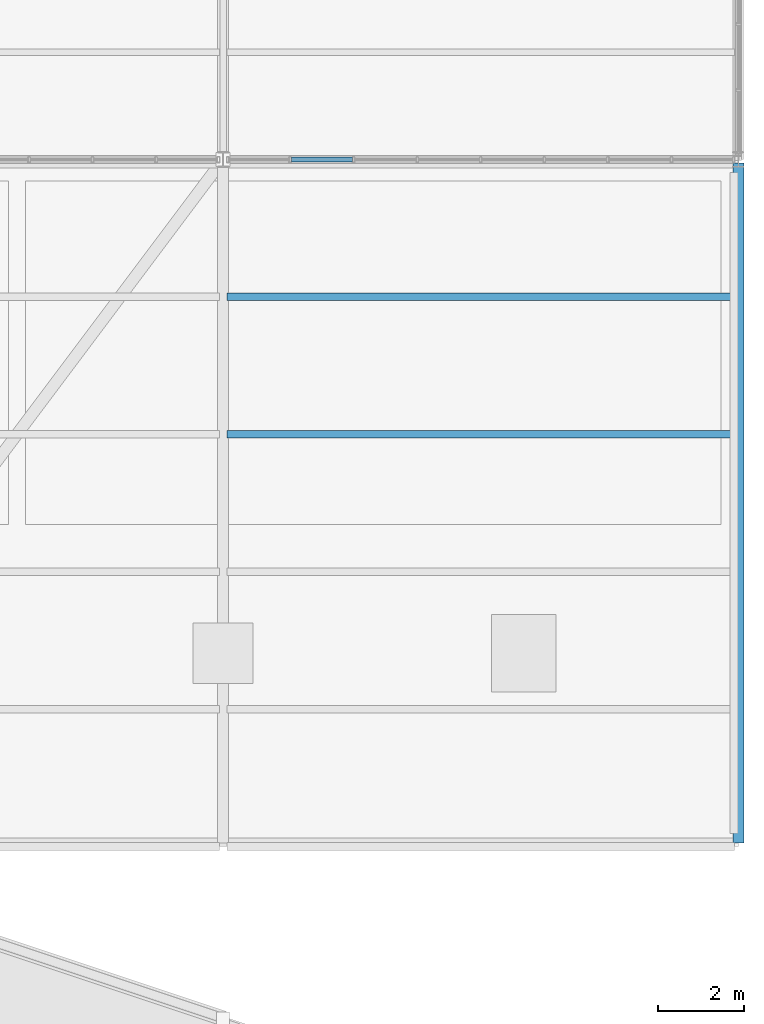
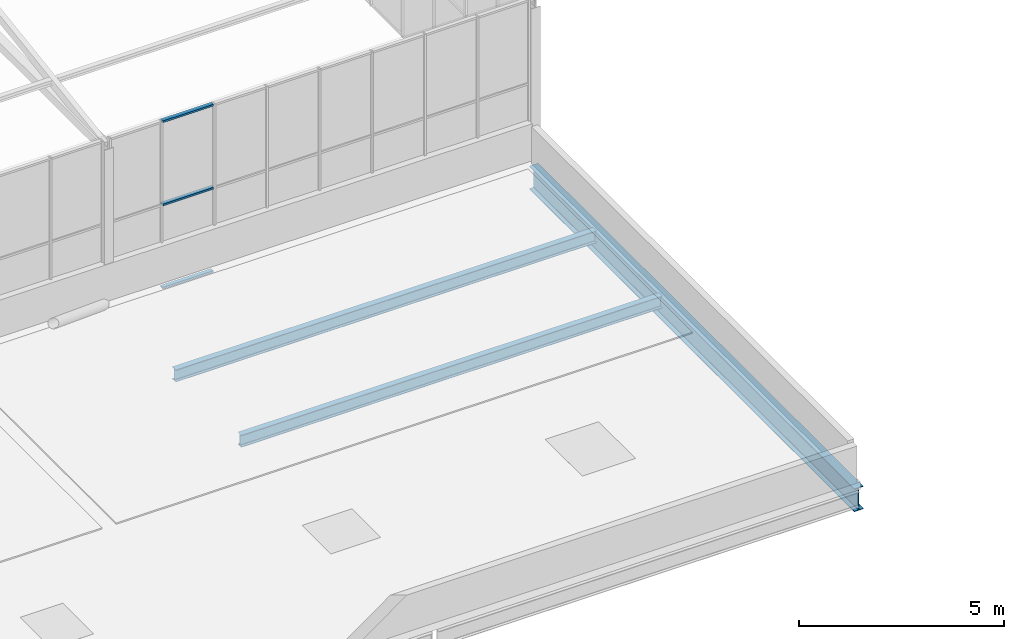
# One storey, part 59 of 104: 3 beams, 3 members, 1 element without a shape of its own.
"""IFC4 building model written with IfcOpenShell, lengths in metres."""

from ifc_helpers import new_model, si_unit, direction, frame, origin, origin_2d, place, context, subcontext, project, spatial, hollow_rectangle, i_section, extrude, material, layer, layer_set, material_profile, profile_set, type_object, element, aggregate, save


model = new_model("IFC4")

# Units and contexts
model_context = context("Model", 3, precision=1e-05, world=origin(), true_north=direction((0.0, 1.0)))
body_context = subcontext(model_context, "Body", "Model", "MODEL_VIEW")
ifc_project = project(units=[si_unit("LENGTHUNIT", "METRE"), si_unit("AREAUNIT", "SQUARE_METRE"), si_unit("VOLUMEUNIT", "CUBIC_METRE"), si_unit("PLANEANGLEUNIT", "RADIAN"), si_unit("MASSUNIT", "GRAM", prefix="KILO")], contexts=[model_context])

# Site, building, storey
site_placement = place(None, origin())
site = spatial("IfcSite", under=ifc_project, at=site_placement, CompositionType="ELEMENT")
building_placement = place(site_placement, origin())
building = spatial("IfcBuilding", under=site, at=building_placement, Name="Solvenia Promenade Tram Depot", CompositionType="ELEMENT")
storey_placement = place(building_placement, frame((0.0, 0.0, 9.0)))
storey = spatial("IfcBuildingStorey", under=building, at=storey_placement, Name="L02", CompositionType="ELEMENT", Elevation=9.0)

# Curtain wall, members
ifc_material_1 = material(Name="Anodized aluminium AW-6063 T6", Category="aluminium")
ifc_layer = layer(ifc_material_1, 0.080078125, Name="Anodized aluminium AW-6063 T6", Category="aluminium")
ifc_layer_set = layer_set([ifc_layer], Name="Anodized aluminium AW-6063 T6")
curtain_wall_type = type_object("IfcCurtainWallType", Name="CW-Clerest-1500", PredefinedType="NOTDEFINED", material=ifc_layer_set)
curtain_wall_placement = place(storey_placement, origin())
curtain_wall = element("IfcCurtainWall", 1, at=curtain_wall_placement, inside=storey, type_object=curtain_wall_type, Name="Curtain Wall CW-V2S-L2-09", PredefinedType="NOTDEFINED")
ifc_material_profile_1 = material_profile(ifc_material_1, hollow_rectangle(XDim=0.110107421875, YDim=0.054931640625, WallThickness=0.00390625, at=origin_2d()), Name="ALU-T4", Category="aluminium")
ifc_profile_set_1 = profile_set([ifc_material_profile_1], Name="Anodized aluminium AW-6063 T6")
member_type = type_object("IfcMemberType", Name="CWT-Transom-4", PredefinedType="USERDEFINED", material=ifc_profile_set_1)
member_1_placement = place(storey_placement, frame((175.58740234375, 24.0, -0.2724609375), z_axis=(1.0, 0.0, 0.0), x_axis=(0.0, 1.0, 0.0)))
member_1 = element("IfcMember", 2, at=member_1_placement, type_object=member_type, Name="CW-4 transom 2.1", ObjectType="TRANSOM", PredefinedType="USERDEFINED", context=body_context, shape_type="SweptSolid", body=[
    extrude(hollow_rectangle(XDim=0.110107421875, YDim=0.054931640625, WallThickness=0.00390625, at=origin_2d()), origin(), (0.0, 0.0, 1.0), 1.425048828125),
])
member_2_placement = place(storey_placement, frame((175.58740234375, 24.0, 2.199951171875), z_axis=(1.0, 0.0, 0.0), x_axis=(0.0, 1.0, 0.0)))
member_2 = element("IfcMember", 3, at=member_2_placement, type_object=member_type, Name="CW-4 transom 2.2", ObjectType="TRANSOM", PredefinedType="USERDEFINED", context=body_context, shape_type="SweptSolid", body=[
    extrude(hollow_rectangle(XDim=0.110107421875, YDim=0.054931640625, WallThickness=0.00390625, at=origin_2d()), origin(), (0.0, 0.0, 1.0), 1.425048828125),
])
member_3_placement = place(storey_placement, frame((175.58740234375, 24.0, 4.672607421875), z_axis=(1.0, 0.0, 0.0), x_axis=(0.0, 1.0, 0.0)))
member_3 = element("IfcMember", 4, at=member_3_placement, type_object=member_type, Name="CW-4 transom 2.3", ObjectType="TRANSOM", PredefinedType="USERDEFINED", context=body_context, shape_type="SweptSolid", body=[
    extrude(hollow_rectangle(XDim=0.110107421875, YDim=0.054931640625, WallThickness=0.00390625, at=origin_2d()), origin(), (0.0, 0.0, 1.0), 1.425048828125),
])
aggregate(curtain_wall, [member_1, member_2, member_3])

# Beams
ifc_material_2 = material(Name="Structural steel ASTM A992 Gr. 50", Category="steel")
ifc_material_profile_2 = material_profile(ifc_material_2, i_section(OverallWidth=0.25390625, OverallDepth=0.68408203125, WebThickness=0.012451171875, FlangeThickness=0.018798828125, FilletRadius=0.01611328125, at=origin_2d()), Name="W690x140", Category="steel")
ifc_profile_set_2 = profile_set([ifc_material_profile_2], Name="Structural steel ASTM A992 Gr. 50")
beam_type_1 = type_object("IfcBeamType", Name="Gird-W690x140", PredefinedType="BEAM", material=ifc_profile_set_2)
beam_placement = place(storey_placement, frame((186.0, 8.0849609375, -0.56201171875), z_axis=(0.0, 1.0, 0.0), x_axis=(-1.0, 0.0, 0.0)))
element("IfcBeam", 5, at=beam_placement, inside=storey, type_object=beam_type_1, Name="Transverse Girder BM-L02-0802", PredefinedType="BEAM", context=body_context, shape_type="SweptSolid", body=[
    extrude(i_section(OverallWidth=0.25390625, OverallDepth=0.68408203125, WebThickness=0.012451171875, FlangeThickness=0.018798828125, FilletRadius=0.01611328125, at=origin_2d()), origin(), (0.0, 0.0, 1.0), 15.830078125),
])
ifc_material_profile_3 = material_profile(ifc_material_2, i_section(OverallWidth=0.172119140625, OverallDepth=0.35791015625, WebThickness=0.0078125, FlangeThickness=0.01318359375, FilletRadius=0.010986328125, at=origin_2d()), Name="W360x57", Category="steel")
ifc_profile_set_3 = profile_set([ifc_material_profile_3], Name="Structural steel ASTM A992 Gr. 50")
beam_type_2 = type_object("IfcBeamType", Name="Joist-W360x57", PredefinedType="JOIST", material=ifc_profile_set_3)
for number, where, z_axis, x_axis, name in (
    (6, (174.0849609375, 17.60009765625, -0.39892578125), (1.0, 0.0, 0.0), (0.0, 1.0, 0.0), "Secondary Floor Joist BM-L02-0821"),
    (7, (174.0849609375, 20.800048828125, -0.39892578125), (1.0, 0.0, 0.0), (0.0, 1.0, 0.0), "Secondary Floor Joist BM-L02-0822"),
):
    element("IfcBeam", number, at=place(storey_placement, frame(where, z_axis=z_axis, x_axis=x_axis)), inside=storey, type_object=beam_type_2, Name=name, PredefinedType="JOIST", context=body_context, shape_type="SweptSolid", body=[
        extrude(i_section(OverallWidth=0.172119140625, OverallDepth=0.35791015625, WebThickness=0.0078125, FlangeThickness=0.01318359375, FilletRadius=0.010986328125, at=origin_2d()), origin(), (0.0, 0.0, 1.0), 11.830078125),
    ])

save(model, "model.ifc")
